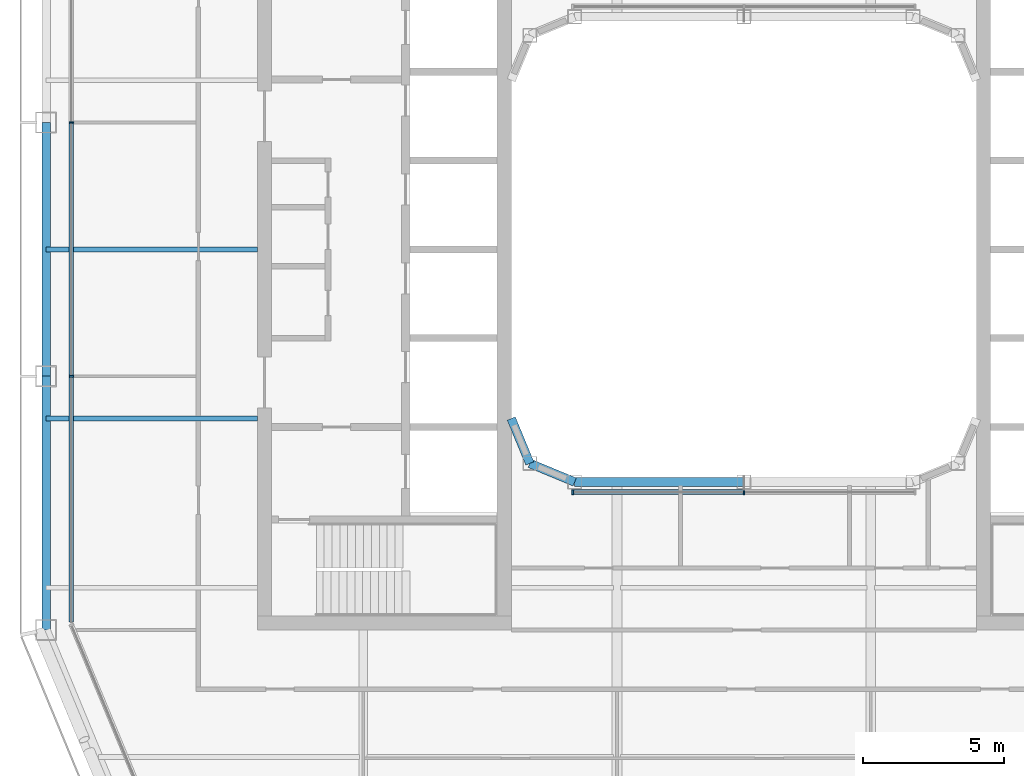
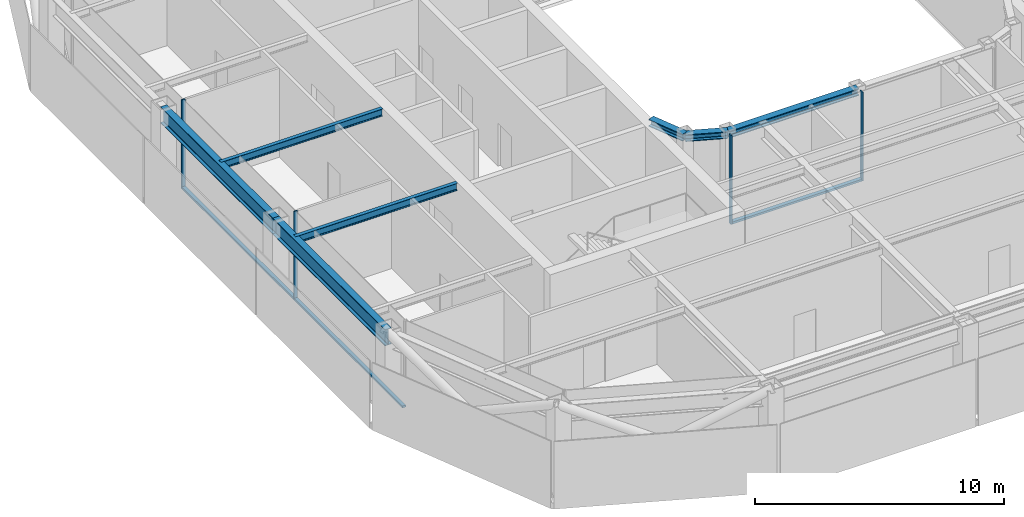
# One storey, part 3 of 21: 7 beams, 7 members, 2 elements without a shape of their own.
"""IFC4 building model written with IfcOpenShell, lengths in metres."""

import ifcopenshell
import ifcopenshell.guid

model = None  # the IFC model being written
_history = None  # IfcOwnerHistory: only IFC2X3 demands one
_inside = {}  # id of a spatial element -> (the spatial element, [elements in it])
_under = {}  # id of a project, library or spatial element -> (it, [spatial elements below it])
_declared = {}  # id of a project -> (the project, [libraries it declares])
_typed = {}  # id of a type object -> (the type object, [elements of that type])
_made_of = {}  # id of a material, layer set ... -> (it, [elements and type objects made of it])


def new_model(schema):
    """Start an empty IFC model of exactly this schema.

    Asked for "IFC4X3", IfcOpenShell would pick the latest addendum, in which some entities
    have other attributes; the version numbers below select the first issue.
    IFC2X3 requires an IfcOwnerHistory on every rooted entity: one is made here for all.
    """
    global model, _history
    if schema == "IFC4X3":
        model = ifcopenshell.file(schema_version=(4, 3, 0, 0))
    else:
        model = ifcopenshell.file(schema=schema)
    _inside.clear()
    _under.clear()
    _declared.clear()
    _typed.clear()
    _made_of.clear()
    _history = None
    if model.schema == "IFC2X3":
        org = make("IfcOrganization", Name="unknown")
        user = make(
            "IfcPersonAndOrganization",
            ThePerson=make("IfcPerson", FamilyName="unknown"),
            TheOrganization=org,
        )
        app = make(
            "IfcApplication",
            ApplicationDeveloper=org,
            Version="unknown",
            ApplicationFullName="unknown",
            ApplicationIdentifier="unknown",
        )
        _history = make(
            "IfcOwnerHistory",
            OwningUser=user,
            OwningApplication=app,
            ChangeAction="ADDED",
            CreationDate=0,
        )
    return model


def make(cls, **values):
    """One entity of the class cls with the attributes given. An attribute that is None is left unset."""
    return model.create_entity(
        cls, **{name: value for name, value in values.items() if value is not None}
    )


def rooted(cls, **values):
    """An entity with a GlobalId (a new one), such as an element, a storey or a relation."""
    return make(cls, GlobalId=ifcopenshell.guid.new(), OwnerHistory=_history, **values)


def si_unit(unit_type, name, prefix=None):
    """IfcSIUnit, for example si_unit("LENGTHUNIT", "METRE", prefix="MILLI")."""
    return make("IfcSIUnit", UnitType=unit_type, Prefix=prefix, Name=name)


def assignment(units):
    """IfcUnitAssignment: the units of a project."""
    return None if units is None else make("IfcUnitAssignment", Units=units)


def point(xyz):
    """IfcCartesianPoint."""
    return None if xyz is None else make("IfcCartesianPoint", Coordinates=xyz)


def direction(xyz):
    """IfcDirection."""
    return None if xyz is None else make("IfcDirection", DirectionRatios=xyz)


def frame(location, z_axis=None, x_axis=None):
    """IfcAxis2Placement3D, a coordinate frame: its origin and axes. An axis left out is left unset."""
    return make(
        "IfcAxis2Placement3D",
        Location=point(location),
        Axis=direction(z_axis),
        RefDirection=direction(x_axis),
    )


def frame_2d(location, x_axis=None):
    """IfcAxis2Placement2D, a coordinate frame in the plane: its origin and x axis."""
    return make(
        "IfcAxis2Placement2D", Location=point(location), RefDirection=direction(x_axis)
    )


def origin():
    """The frame at (0, 0, 0) with its axes left unset."""
    return frame((0.0, 0.0, 0.0))


def origin_2d():
    """The frame at (0, 0) in the plane with its x axis left unset."""
    return frame_2d((0.0, 0.0))


def place(relative_to, where):
    """IfcLocalPlacement: puts the frame where relative to a parent placement (None: the world)."""
    return make(
        "IfcLocalPlacement", PlacementRelTo=relative_to, RelativePlacement=where
    )


def context(
    kind, dimensions, precision=None, world=None, true_north=None, identifier=None
):
    """IfcGeometricRepresentationContext, for example the 3D "Model" context."""
    return make(
        "IfcGeometricRepresentationContext",
        ContextIdentifier=identifier,
        ContextType=kind,
        CoordinateSpaceDimension=dimensions,
        Precision=precision,
        WorldCoordinateSystem=world,
        TrueNorth=true_north,
    )


def subcontext(parent, identifier, kind, view, scale=None):
    """IfcGeometricRepresentationSubContext, for example "Body" below "Model"."""
    return make(
        "IfcGeometricRepresentationSubContext",
        ContextIdentifier=identifier,
        ContextType=kind,
        ParentContext=parent,
        TargetScale=scale,
        TargetView=view,
    )


def project(units=None, contexts=None):
    """IfcProject with its units and contexts."""
    return rooted(
        "IfcProject",
        Name="project",
        RepresentationContexts=contexts,
        UnitsInContext=assignment(units),
    )


def spatial(cls, under=None, at=None, **own):
    """A site, building, storey or space (cls), placed at a placement, below another one or the project."""
    s = rooted(cls, ObjectPlacement=at, **own)
    if under is not None:
        _under.setdefault(under.id(), (under, []))[1].append(s)
    return s


def profile(cls, at=None, kind="AREA", **sizes):
    """A parametric profile (cls). Its sizes go by their IFC names, for example OverallWidth=200.0."""
    return make(cls, ProfileType=kind, Position=at, **sizes)


def rectangle(**sizes):
    """IfcRectangleProfileDef."""
    return profile("IfcRectangleProfileDef", **sizes)


def i_section(**sizes):
    """IfcIShapeProfileDef."""
    return profile("IfcIShapeProfileDef", **sizes)


def extrude(swept, where, along, depth):
    """IfcExtrudedAreaSolid: the profile swept, set in the frame where, extruded along a direction by depth."""
    return make(
        "IfcExtrudedAreaSolid",
        SweptArea=swept,
        Position=where,
        ExtrudedDirection=direction(along),
        Depth=depth,
    )


def shape(context_of_items, identifier, shape_type, items):
    """IfcShapeRepresentation: the items that make up one representation, for example the "Body"."""
    return make(
        "IfcShapeRepresentation",
        ContextOfItems=context_of_items,
        RepresentationIdentifier=identifier,
        RepresentationType=shape_type,
        Items=items,
    )


def material(Name=None, Category=None):
    """IfcMaterial."""
    return make("IfcMaterial", Name=Name, Category=Category)


def layer(
    of_material, thickness, ventilated=None, Name=None, Category=None, Priority=None
):
    """IfcMaterialLayer: one layer of a wall or slab, of a material (None: an air gap)."""
    return make(
        "IfcMaterialLayer",
        Material=of_material,
        LayerThickness=thickness,
        IsVentilated=ventilated,
        Name=Name,
        Category=Category,
        Priority=Priority,
    )


def layer_set(layers, Name=None):
    """IfcMaterialLayerSet."""
    return make("IfcMaterialLayerSet", MaterialLayers=layers, LayerSetName=Name)


def material_profile(
    of_material, cross_section, Name=None, Category=None, Priority=None
):
    """IfcMaterialProfile: a cross section and its material."""
    return make(
        "IfcMaterialProfile",
        Name=Name,
        Material=of_material,
        Profile=cross_section,
        Priority=Priority,
        Category=Category,
    )


def profile_set(profiles, Name=None, composite=None):
    """IfcMaterialProfileSet."""
    return make(
        "IfcMaterialProfileSet",
        Name=Name,
        MaterialProfiles=profiles,
        CompositeProfile=composite,
    )


def made_of(thing, what):
    """Note that an element or type object is made of a material, layer set ...; save() writes the relation."""
    if what is not None:
        _made_of.setdefault(what.id(), (what, []))[1].append(thing)
    return thing


def type_object(cls, material=None, **own):
    """A type object (cls), such as IfcWallType, which elements share."""
    return made_of(rooted(cls, **own), material)


def element(
    cls,
    number,
    at=None,
    inside=None,
    cuts=None,
    type_object=None,
    material=None,
    context=None,
    identifier="Body",
    shape_type=None,
    held_by="IfcProductDefinitionShape",
    body=None,
    shapes=None,
    **own,
):
    """One element of the class cls, such as IfcWall. Its Tag is "e" and its number.

    at: its placement. inside: the storey or other place that contains it. cuts: it is an
    opening in that element (IfcRelVoidsElement). A single representation is given by context,
    identifier, shape_type and body (its items); several are given by shapes. held_by: the class
    of the entity that holds the representations. save() writes the other relations.
    """
    e = rooted(cls, Tag="e%d" % number, ObjectPlacement=at, **own)
    if body is not None:
        shapes = [shape(context, identifier, shape_type, body)]
    if shapes is not None:
        e.Representation = make(held_by, Representations=shapes)
    if inside is not None:
        _inside.setdefault(inside.id(), (inside, []))[1].append(e)
    if cuts is not None:
        rooted(
            "IfcRelVoidsElement", RelatingBuildingElement=cuts, RelatedOpeningElement=e
        )
    if type_object is not None:
        _typed.setdefault(type_object.id(), (type_object, []))[1].append(e)
    return made_of(e, material)


def aggregate(whole, parts):
    """IfcRelAggregates: a whole, such as a stair, and the parts it consists of."""
    return rooted("IfcRelAggregates", RelatingObject=whole, RelatedObjects=parts)


def save(model, path):
    """Write the relations noted so far, then the file.

    IfcRelAggregates (storeys below a building ...), IfcRelContainedInSpatialStructure (elements
    in a storey), IfcRelDefinesByType, IfcRelAssociatesMaterial and IfcRelDeclares: one each for
    every whole, place, type object, material and project.
    """
    for whole, parts in _under.values():
        aggregate(whole, parts)
    for where, things in _inside.values():
        rooted(
            "IfcRelContainedInSpatialStructure",
            RelatedElements=things,
            RelatingStructure=where,
        )
    for kind, things in _typed.values():
        rooted("IfcRelDefinesByType", RelatedObjects=things, RelatingType=kind)
    for what, things in _made_of.values():
        rooted("IfcRelAssociatesMaterial", RelatedObjects=things, RelatingMaterial=what)
    for by, libraries in _declared.values():
        rooted("IfcRelDeclares", RelatingContext=by, RelatedDefinitions=libraries)
    model.write(path)


model = new_model("IFC4")

# Units and contexts
model_context = context("Model", 3, precision=1e-05, world=origin(), true_north=direction((0.0, 1.0)))
body_context = subcontext(model_context, "Body", "Model", "MODEL_VIEW")
ifc_project = project(units=[si_unit("LENGTHUNIT", "METRE"), si_unit("AREAUNIT", "SQUARE_METRE"), si_unit("VOLUMEUNIT", "CUBIC_METRE"), si_unit("PLANEANGLEUNIT", "RADIAN"), si_unit("MASSUNIT", "GRAM", prefix="KILO")], contexts=[model_context])

# Site, building, storey
site_placement = place(None, origin())
site = spatial("IfcSite", under=ifc_project, at=site_placement, CompositionType="ELEMENT")
building_placement = place(site_placement, origin())
building = spatial("IfcBuilding", under=site, at=building_placement, Name="Siwar Civic Tower", CompositionType="ELEMENT")
storey_placement = place(building_placement, frame((0.0, 0.0, 303.199951171875)))
storey = spatial("IfcBuildingStorey", under=building, at=storey_placement, Name="L65", CompositionType="ELEMENT", Elevation=303.199951171875)

# Curtain wall, members
ifc_material_1 = material(Name="Aluminium and glass", Category="aluminium")
ifc_layer_1 = layer(ifc_material_1, 0.159912109375)
ifc_layer_set_1 = layer_set([ifc_layer_1], Name="Aluminium and glass")
curtain_wall_type_1 = type_object("IfcCurtainWallType", Name="ENV-CW-D", PredefinedType="NOTDEFINED", material=ifc_layer_set_1)
curtain_wall_1_placement = place(storey_placement, origin())
curtain_wall_1 = element("IfcCurtainWall", 1, at=curtain_wall_1_placement, inside=storey, type_object=curtain_wall_type_1, Name="Curtain wall D W", PredefinedType="NOTDEFINED")
ifc_material_2 = material(Name="Aluminium 6063-T6", Category="aluminium")
ifc_material_profile_1 = material_profile(ifc_material_2, rectangle(XDim=0.159912109375, YDim=0.06005859375, at=origin_2d()), Name="AL 160x60")
ifc_profile_set_1 = profile_set([ifc_material_profile_1], Name="Aluminium 6063-T6")
member_type_1 = type_object("IfcMemberType", Name="ENV-MULLION-D", PredefinedType="MULLION", material=ifc_profile_set_1)
member_1_placement = place(storey_placement, frame((-23.85009765625, 4.5, 0.0), z_axis=(0.0, 0.0, 1.0), x_axis=(1.0, 0.0, 0.0)))
member_1 = element("IfcMember", 2, at=member_1_placement, type_object=member_type_1, Name="Mullion D W 2", PredefinedType="MULLION", context=body_context, shape_type="SweptSolid", body=[
    extrude(rectangle(XDim=0.159912109375, YDim=0.06005859375, at=origin_2d()), origin(), (0.0, 0.0, 1.0), 4.35009765625),
])
member_2_placement = place(storey_placement, frame((-23.85009765625, -4.5, 0.0), z_axis=(0.0, 0.0, 1.0), x_axis=(1.0, 0.0, 0.0)))
member_2 = element("IfcMember", 3, at=member_2_placement, type_object=member_type_1, Name="Mullion D W 3", PredefinedType="MULLION", context=body_context, shape_type="SweptSolid", body=[
    extrude(rectangle(XDim=0.159912109375, YDim=0.06005859375, at=origin_2d()), origin(), (0.0, 0.0, 1.0), 4.35009765625),
])

ifc_material_3 = material(Name="Aluminium and glass", Category="aluminium")
ifc_layer_2 = layer(ifc_material_3, 0.179931640625)
ifc_layer_set_2 = layer_set([ifc_layer_2], Name="Aluminium and glass")
curtain_wall_type_2 = type_object("IfcCurtainWallType", Name="ENV-CW-W", PredefinedType="NOTDEFINED", material=ifc_layer_set_2)
curtain_wall_2_placement = place(storey_placement, origin())
curtain_wall_2 = element("IfcCurtainWall", 4, at=curtain_wall_2_placement, inside=storey, type_object=curtain_wall_type_2, Name="Curtain wall W WS", PredefinedType="NOTDEFINED")
ifc_material_4 = material(Name="Aluminium 6063-T6", Category="aluminium")
ifc_material_profile_2 = material_profile(ifc_material_4, rectangle(XDim=0.179931640625, YDim=0.06005859375, at=origin_2d()), Name="AL 180x60")
ifc_profile_set_2 = profile_set([ifc_material_profile_2], Name="Aluminium 6063-T6")
member_type_2 = type_object("IfcMemberType", Name="ENV-MULLION-W", PredefinedType="MULLION", material=ifc_profile_set_2)
member_3_placement = place(storey_placement, frame((-6.071533203125, -8.610107421875, 0.0), z_axis=(0.0, 0.0, 1.0), x_axis=(0.0, 1.0, 0.0)))
member_3 = element("IfcMember", 5, at=member_3_placement, type_object=member_type_2, Name="Mullion W WS 1", PredefinedType="MULLION", context=body_context, shape_type="SweptSolid", body=[
    extrude(rectangle(XDim=0.179931640625, YDim=0.06005859375, at=origin_2d()), origin(), (0.0, 0.0, 1.0), 4.35009765625),
])
member_4_placement = place(storey_placement, frame((0.0, -8.610107421875, 0.0), z_axis=(0.0, 0.0, 1.0), x_axis=(0.0, 1.0, 0.0)))
member_4 = element("IfcMember", 6, at=member_4_placement, type_object=member_type_2, Name="Mullion W WS 2", PredefinedType="MULLION", context=body_context, shape_type="SweptSolid", body=[
    extrude(rectangle(XDim=0.179931640625, YDim=0.06005859375, at=origin_2d()), origin(), (0.0, 0.0, 1.0), 4.35009765625),
])

# Member
ifc_material_5 = material(Name="Aluminium 6063-T6", Category="aluminium")
ifc_material_profile_3 = material_profile(ifc_material_5, rectangle(XDim=0.159912109375, YDim=0.10009765625, at=origin_2d()), Name="AL 160x100")
ifc_profile_set_3 = profile_set([ifc_material_profile_3], Name="Aluminium 6063-T6")
member_type_3 = type_object("IfcMemberType", Name="ENV-TRANSOM-D", PredefinedType="USERDEFINED", material=ifc_profile_set_3)
member_5_placement = place(storey_placement, frame((-23.85009765625, 4.469970703125, 0.050048828125), z_axis=(0.0, -1.0, 0.0), x_axis=(1.0, 0.0, 0.0)))
member_5 = element("IfcMember", 7, at=member_5_placement, type_object=member_type_3, Name="Transom D W 2", ObjectType="TRANSOM", PredefinedType="USERDEFINED", context=body_context, shape_type="SweptSolid", body=[
    extrude(rectangle(XDim=0.159912109375, YDim=0.10009765625, at=origin_2d()), origin(), (0.0, 0.0, 1.0), 8.93994140625),
])

member_6_placement = place(storey_placement, frame((-23.85009765625, -4.530029296875, 0.050048828125), z_axis=(0.0, -1.0, 0.0), x_axis=(1.0, 0.0, 0.0)))
member_6 = element("IfcMember", 8, at=member_6_placement, type_object=member_type_3, Name="Transom D W 3", ObjectType="TRANSOM", PredefinedType="USERDEFINED", context=body_context, shape_type="SweptSolid", body=[
    extrude(rectangle(XDim=0.159912109375, YDim=0.10009765625, at=origin_2d()), origin(), (0.0, 0.0, 1.0), 8.693115234375),
])

aggregate(curtain_wall_1, [member_1, member_2, member_5, member_6])

ifc_material_6 = material(Name="Aluminium 6063-T6", Category="aluminium")
ifc_material_profile_4 = material_profile(ifc_material_6, rectangle(XDim=0.179931640625, YDim=0.10009765625, at=origin_2d()), Name="AL 180x100")
ifc_profile_set_4 = profile_set([ifc_material_profile_4], Name="Aluminium 6063-T6")
member_type_4 = type_object("IfcMemberType", Name="ENV-TRANSOM-W", PredefinedType="USERDEFINED", material=ifc_profile_set_4)
member_7_placement = place(storey_placement, frame((-6.04150390625, -8.610107421875, 0.050048828125), z_axis=(1.0, 0.0, 0.0), x_axis=(0.0, 1.0, 0.0)))
member_7 = element("IfcMember", 9, at=member_7_placement, type_object=member_type_4, Name="Transom W WS 1", ObjectType="TRANSOM", PredefinedType="USERDEFINED", context=body_context, shape_type="SweptSolid", body=[
    extrude(rectangle(XDim=0.179931640625, YDim=0.10009765625, at=origin_2d()), origin(), (0.0, 0.0, 1.0), 6.011474609375),
])

aggregate(curtain_wall_2, [member_3, member_4, member_7])

# Beams
ifc_material_7 = material(Name="Steel S355", Category="steel")
ifc_material_profile_5 = material_profile(ifc_material_7, i_section(OverallWidth=0.169921875, OverallDepth=0.360107421875, WebThickness=0.008056640625, FlangeThickness=0.0126953125, FilletRadius=0.01806640625, at=origin_2d()), Name="IPE360")
ifc_profile_set_5 = profile_set([ifc_material_profile_5], Name="Steel S355")
beam_type_1 = type_object("IfcBeamType", Name="STR-FB-IPE360", PredefinedType="JOIST", material=ifc_profile_set_5)
for number, where, z_axis, x_axis, name in (
    (10, (-24.75, -6.0, 4.170166015625), (1.0, 0.0, 0.0), (0.0, 1.0, 0.0), "L65/bm/F016"),
    (11, (-24.75, 0.0, 4.170166015625), (1.0, 0.0, 0.0), (0.0, 1.0, 0.0), "L65/bm/F018"),
):
    element("IfcBeam", number, at=place(storey_placement, frame(where, z_axis=z_axis, x_axis=x_axis)), inside=storey, type_object=beam_type_1, Name=name, PredefinedType="JOIST", context=body_context, shape_type="SweptSolid", body=[
        extrude(i_section(OverallWidth=0.169921875, OverallDepth=0.360107421875, WebThickness=0.008056640625, FlangeThickness=0.0126953125, FilletRadius=0.01806640625, at=origin_2d()), origin(), (0.0, 0.0, 1.0), 7.5),
    ])
ifc_material_8 = material(Name="Steel S355", Category="steel")
ifc_material_profile_6 = material_profile(ifc_material_8, i_section(OverallWidth=0.31005859375, OverallDepth=0.340087890625, WebThickness=0.02099609375, FlangeThickness=0.0390625, FilletRadius=0.027099609375, at=origin_2d()), Name="HEM300")
ifc_profile_set_6 = profile_set([ifc_material_profile_6], Name="Steel S355")
beam_type_2 = type_object("IfcBeamType", Name="STR-RB-HEM300", PredefinedType="BEAM", material=ifc_profile_set_6)
beam_1_placement = place(storey_placement, frame((-7.591064453125, -7.591064453125, 4.179931640625), z_axis=(0.923901072997, -0.382631424892, 0.0), x_axis=(0.382631424892, 0.923901072997, 0.0)))
element("IfcBeam", 12, at=beam_1_placement, inside=storey, type_object=beam_type_2, Name="L65/bm/RS0", PredefinedType="BEAM", context=body_context, shape_type="SweptSolid", body=[
    extrude(i_section(OverallWidth=0.31005859375, OverallDepth=0.340087890625, WebThickness=0.02099609375, FlangeThickness=0.0390625, FilletRadius=0.027099609375, at=origin_2d()), origin(), (0.0, 0.0, 1.0), 1.72216796875),
])
beam_2_placement = place(storey_placement, frame((-6.0, -8.25, 4.179931640625), z_axis=(1.0, 0.0, 0.0), x_axis=(0.0, 1.0, 0.0)))
element("IfcBeam", 13, at=beam_2_placement, inside=storey, type_object=beam_type_2, Name="L65/bm/RS1", PredefinedType="BEAM", context=body_context, shape_type="SweptSolid", body=[
    extrude(i_section(OverallWidth=0.31005859375, OverallDepth=0.340087890625, WebThickness=0.02099609375, FlangeThickness=0.0390625, FilletRadius=0.027099609375, at=origin_2d()), origin(), (0.0, 0.0, 1.0), 6.0),
])
beam_3_placement = place(storey_placement, frame((-7.591064453125, -7.591064453125, 4.179931640625), z_axis=(-0.382631424892, 0.923901072997, 0.0), x_axis=(-0.923901072997, -0.382631424892, 0.0)))
element("IfcBeam", 14, at=beam_3_placement, inside=storey, type_object=beam_type_2, Name="L65/bm/RSEW", PredefinedType="BEAM", context=body_context, shape_type="SweptSolid", body=[
    extrude(i_section(OverallWidth=0.31005859375, OverallDepth=0.340087890625, WebThickness=0.02099609375, FlangeThickness=0.0390625, FilletRadius=0.027099609375, at=origin_2d()), origin(), (0.0, 0.0, 1.0), 1.72216796875),
])
ifc_material_9 = material(Name="Steel S355", Category="steel")
ifc_material_profile_7 = material_profile(ifc_material_9, i_section(OverallWidth=0.300048828125, OverallDepth=0.800048828125, WebThickness=0.017578125, FlangeThickness=0.032958984375, FilletRadius=0.030029296875, at=origin_2d()), Name="HEB800")
ifc_profile_set_7 = profile_set([ifc_material_profile_7], Name="Steel S355")
beam_type_3 = type_object("IfcBeamType", Name="STR-SB-HEB800", PredefinedType="BEAM", material=ifc_profile_set_7)
for number, where, z_axis, x_axis, name in (
    (15, (-24.75, 4.5, 3.949951171875), (0.0, -1.0, 0.0), (1.0, 0.0, 0.0), "L65/bm/SW-1"),
    (16, (-24.75, -4.5, 3.949951171875), (0.0, -1.0, 0.0), (1.0, 0.0, 0.0), "L65/bm/SW-2"),
):
    element("IfcBeam", number, at=place(storey_placement, frame(where, z_axis=z_axis, x_axis=x_axis)), inside=storey, type_object=beam_type_3, Name=name, PredefinedType="BEAM", context=body_context, shape_type="SweptSolid", body=[
        extrude(i_section(OverallWidth=0.300048828125, OverallDepth=0.800048828125, WebThickness=0.017578125, FlangeThickness=0.032958984375, FilletRadius=0.030029296875, at=origin_2d()), origin(), (0.0, 0.0, 1.0), 9.0),
    ])

save(model, "model.ifc")
